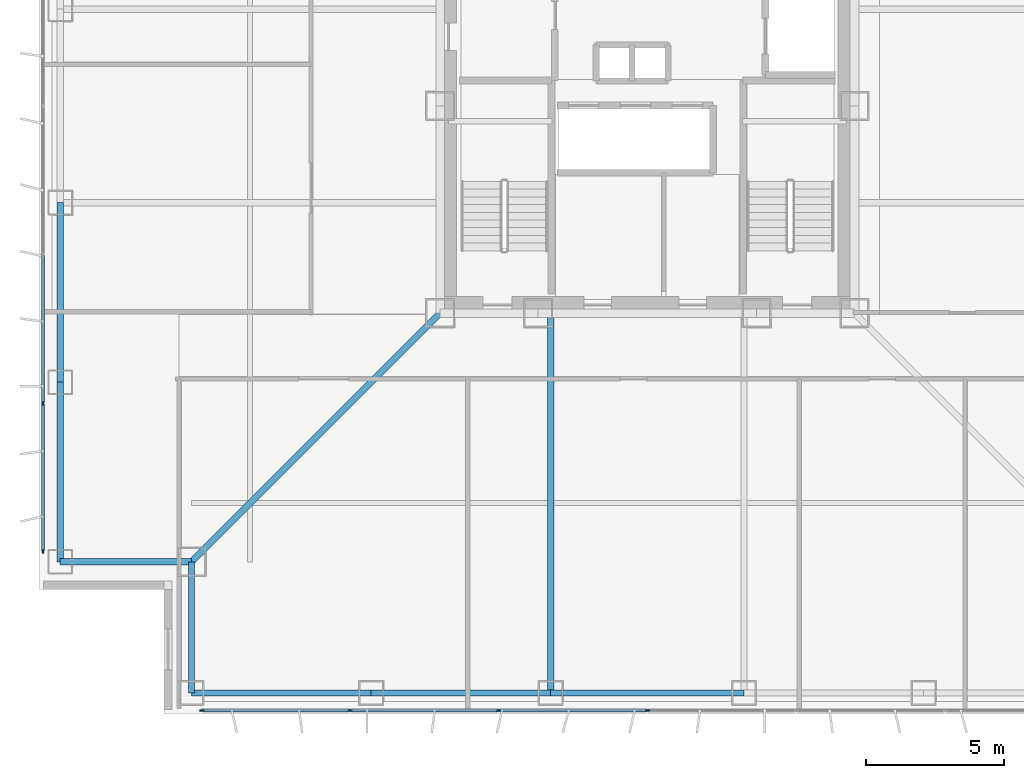
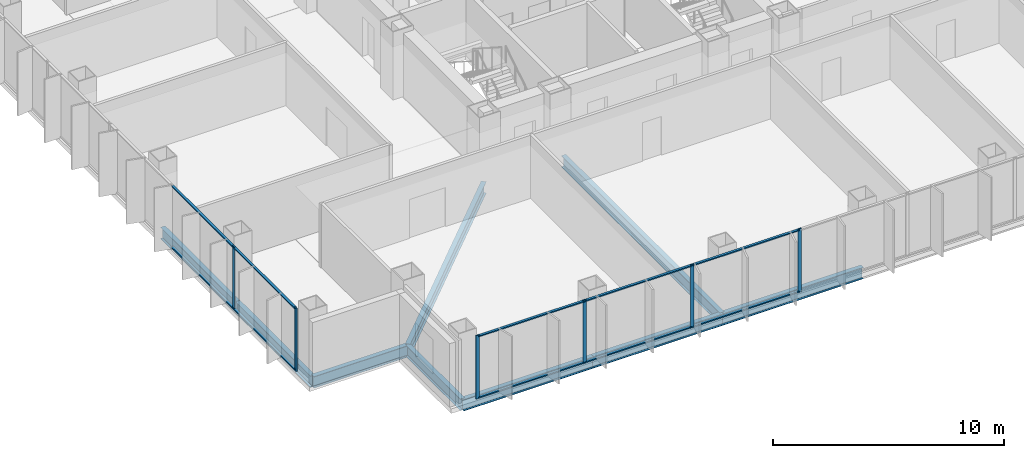
# One storey, part 2 of 17: 16 members, 9 beams, 2 elements without a shape of their own.
"""IFC4 building model written with IfcOpenShell, lengths in metres."""

from ifc_helpers import new_model, si_unit, direction, frame, origin, origin_2d, place, context, subcontext, project, spatial, rectangle, i_section, extrude, material, layer, layer_set, material_profile, profile_set, type_object, element, aggregate, save


model = new_model("IFC4")

# Units and contexts
model_context = context("Model", 3, precision=1e-05, world=origin(), true_north=direction((0.0, 1.0)))
body_context = subcontext(model_context, "Body", "Model", "MODEL_VIEW")
ifc_project = project(units=[si_unit("LENGTHUNIT", "METRE"), si_unit("AREAUNIT", "SQUARE_METRE"), si_unit("VOLUMEUNIT", "CUBIC_METRE"), si_unit("PLANEANGLEUNIT", "RADIAN"), si_unit("MASSUNIT", "GRAM", prefix="KILO")], contexts=[model_context])

# Site, building, storey
site_placement = place(None, origin())
site = spatial("IfcSite", under=ifc_project, at=site_placement, CompositionType="ELEMENT")
building_placement = place(site_placement, origin())
building = spatial("IfcBuilding", under=site, at=building_placement, Name="Trevonay Congress Spire", CompositionType="ELEMENT")
storey_placement = place(building_placement, frame((0.0, 0.0, 126.39990234375)))
storey = spatial("IfcBuildingStorey", under=building, at=storey_placement, Name="L32", CompositionType="ELEMENT", Elevation=126.39990234375)

# Beams
ifc_material_1 = material(Name="Steel ASTM A572 Grade 50", Category="steel")
ifc_material_profile_1 = material_profile(ifc_material_1, i_section(OverallWidth=0.22998046875, OverallDepth=0.616943359375, WebThickness=0.01318359375, FlangeThickness=0.022216796875, FilletRadius=0.01611328125, at=origin_2d()), Name="W610x140")
ifc_profile_set_1 = profile_set([ifc_material_profile_1], Name="Steel ASTM A572 Grade 50")
beam_type_1 = type_object("IfcBeamType", Name="BM-GIRD-W610X140", PredefinedType="BEAM", material=ifc_profile_set_1)
beam_1_placement = place(storey_placement, frame((-7.5, -7.5, -0.54833984375), z_axis=(-0.707106781187, -0.707106781187, 0.0), x_axis=(0.707106781187, -0.707106781187, 0.0)))
element("IfcBeam", 1, at=beam_1_placement, inside=storey, type_object=beam_type_1, Name="L32 structural beam BM-L32-CDSW", PredefinedType="BEAM", context=body_context, shape_type="SweptSolid", body=[
    extrude(i_section(OverallWidth=0.22998046875, OverallDepth=0.616943359375, WebThickness=0.01318359375, FlangeThickness=0.022216796875, FilletRadius=0.01611328125, at=origin_2d()), origin(), (0.0, 0.0, 1.0), 12.72802734375),
])
beam_2_placement = place(storey_placement, frame((-3.5, -7.5, -0.54833984375), z_axis=(0.0, -1.0, 0.0), x_axis=(1.0, 0.0, 0.0)))
element("IfcBeam", 2, at=beam_2_placement, inside=storey, type_object=beam_type_1, Name="L32 structural beam BM-L32-GS-M", PredefinedType="BEAM", context=body_context, shape_type="SweptSolid", body=[
    extrude(i_section(OverallWidth=0.22998046875, OverallDepth=0.616943359375, WebThickness=0.01318359375, FlangeThickness=0.022216796875, FilletRadius=0.01611328125, at=origin_2d()), origin(), (0.0, 0.0, 1.0), 13.75),
])
ifc_material_profile_2 = material_profile(ifc_material_1, i_section(OverallWidth=0.22802734375, OverallDepth=0.60791015625, WebThickness=0.01123046875, FlangeThickness=0.017333984375, FilletRadius=0.01611328125, at=origin_2d()), Name="W610x113")
ifc_profile_set_2 = profile_set([ifc_material_profile_2], Name="Steel ASTM A572 Grade 50")
beam_type_2 = type_object("IfcBeamType", Name="BM-RING-W610X113", PredefinedType="BEAM", material=ifc_profile_set_2)
for number, where, z_axis, x_axis, name in (
    (3, (-16.5, -21.25, -0.5439453125), (1.0, 0.0, 0.0), (0.0, 1.0, 0.0), "L32 structural beam BM-L32-PS1"),
    (4, (-21.25, -16.5, -0.5439453125), (0.0, 1.0, 0.0), (-1.0, 0.0, 0.0), "L32 structural beam BM-L32-PW1"),
    (5, (-10.0, -21.25, -0.5439453125), (1.0, 0.0, 0.0), (0.0, 1.0, 0.0), "L32 structural beam BM-L32-PS2"),
    (6, (-21.25, -10.0, -0.5439453125), (0.0, 1.0, 0.0), (-1.0, 0.0, 0.0), "L32 structural beam BM-L32-PW2"),
):
    element("IfcBeam", number, at=place(storey_placement, frame(where, z_axis=z_axis, x_axis=x_axis)), inside=storey, type_object=beam_type_2, Name=name, PredefinedType="BEAM", context=body_context, shape_type="SweptSolid", body=[
        extrude(i_section(OverallWidth=0.22802734375, OverallDepth=0.60791015625, WebThickness=0.01123046875, FlangeThickness=0.017333984375, FilletRadius=0.01611328125, at=origin_2d()), origin(), (0.0, 0.0, 1.0), 6.5),
    ])
beam_3_placement = place(storey_placement, frame((-3.5, -21.25, -0.5439453125), z_axis=(1.0, 0.0, 0.0), x_axis=(0.0, 1.0, 0.0)))
element("IfcBeam", 7, at=beam_3_placement, inside=storey, type_object=beam_type_2, Name="L32 structural beam BM-L32-PS3", PredefinedType="BEAM", context=body_context, shape_type="SweptSolid", body=[
    extrude(i_section(OverallWidth=0.22802734375, OverallDepth=0.60791015625, WebThickness=0.01123046875, FlangeThickness=0.017333984375, FilletRadius=0.01611328125, at=origin_2d()), origin(), (0.0, 0.0, 1.0), 7.0),
])
for number, where, z_axis, x_axis, name in (
    (8, (-16.5, -21.25, -0.5439453125), (0.0, 1.0, 0.0), (-1.0, 0.0, 0.0), "L32 structural beam BM-L32-N1SW"),
    (9, (-21.25, -16.5, -0.5439453125), (1.0, 0.0, 0.0), (0.0, 1.0, 0.0), "L32 structural beam BM-L32-N2SW"),
):
    element("IfcBeam", number, at=place(storey_placement, frame(where, z_axis=z_axis, x_axis=x_axis)), inside=storey, type_object=beam_type_2, Name=name, PredefinedType="BEAM", context=body_context, shape_type="SweptSolid", body=[
        extrude(i_section(OverallWidth=0.22802734375, OverallDepth=0.60791015625, WebThickness=0.01123046875, FlangeThickness=0.017333984375, FilletRadius=0.01611328125, at=origin_2d()), origin(), (0.0, 0.0, 1.0), 4.75),
    ])

# Curtain wall, members
ifc_material_2 = material(Name="Pale Anodised Aluminium EN AW-6063-T6", Category="aluminium")
ifc_layer = layer(ifc_material_2, 0.175048828125, Name="Pale Anodised Aluminium EN AW-6063-T6")
ifc_layer_set = layer_set([ifc_layer], Name="Pale Anodised Aluminium EN AW-6063-T6")
curtain_wall_type = type_object("IfcCurtainWallType", Name="CW-SYS03-CONGRESS-PALE-METAL", PredefinedType="NOTDEFINED", material=ifc_layer_set)
curtain_wall_1_placement = place(storey_placement, origin())
curtain_wall_1 = element("IfcCurtainWall", 10, at=curtain_wall_1_placement, inside=storey, type_object=curtain_wall_type, Name="L32 S unitised curtain wall", PredefinedType="NOTDEFINED")
ifc_material_profile_3 = material_profile(ifc_material_2, rectangle(XDim=0.06005859375, YDim=0.159912109375, at=origin_2d()), Name="CW-MULLION-160-ALUMINIUM")
ifc_profile_set_3 = profile_set([ifc_material_profile_3], Name="Pale Anodised Aluminium EN AW-6063-T6")
member_type_1 = type_object("IfcMemberType", Name="CW-MULLION-160-ALUMINIUM", PredefinedType="MULLION", material=ifc_profile_set_3)
member_1_placement = place(storey_placement, frame((-16.1201171875, -21.8798828125, 0.0), z_axis=(0.0, 0.0, 1.0), x_axis=(0.0, 1.0, 0.0)))
member_1 = element("IfcMember", 11, at=member_1_placement, type_object=member_type_1, Name="CW03 mullion 1", PredefinedType="MULLION", context=body_context, shape_type="SweptSolid", body=[
    extrude(rectangle(XDim=0.06005859375, YDim=0.159912109375, at=origin_2d()), origin(), (0.0, 0.0, 1.0), 3.360107421875),
])
member_2_placement = place(storey_placement, frame((-10.7666015625, -21.8798828125, 0.0), z_axis=(0.0, 0.0, 1.0), x_axis=(0.0, 1.0, 0.0)))
member_2 = element("IfcMember", 12, at=member_2_placement, type_object=member_type_1, Name="CW03 mullion 2", PredefinedType="MULLION", context=body_context, shape_type="SweptSolid", body=[
    extrude(rectangle(XDim=0.06005859375, YDim=0.159912109375, at=origin_2d()), origin(), (0.0, 0.0, 1.0), 3.360107421875),
])
member_3_placement = place(storey_placement, frame((-5.38330078125, -21.8798828125, 0.0), z_axis=(0.0, 0.0, 1.0), x_axis=(0.0, 1.0, 0.0)))
member_3 = element("IfcMember", 13, at=member_3_placement, type_object=member_type_1, Name="CW03 mullion 3", PredefinedType="MULLION", context=body_context, shape_type="SweptSolid", body=[
    extrude(rectangle(XDim=0.06005859375, YDim=0.159912109375, at=origin_2d()), origin(), (0.0, 0.0, 1.0), 3.360107421875),
])
member_4_placement = place(storey_placement, frame((0.0, -21.8798828125, 0.0), z_axis=(0.0, 0.0, 1.0), x_axis=(0.0, 1.0, 0.0)))
member_4 = element("IfcMember", 14, at=member_4_placement, type_object=member_type_1, Name="CW03 mullion 4", PredefinedType="MULLION", context=body_context, shape_type="SweptSolid", body=[
    extrude(rectangle(XDim=0.06005859375, YDim=0.159912109375, at=origin_2d()), origin(), (0.0, 0.0, 1.0), 3.360107421875),
])

curtain_wall_2_placement = place(storey_placement, origin())
curtain_wall_2 = element("IfcCurtainWall", 15, at=curtain_wall_2_placement, inside=storey, type_object=curtain_wall_type, Name="L32 W unitised curtain wall", PredefinedType="NOTDEFINED")
member_5_placement = place(storey_placement, frame((-21.8798828125, -16.1201171875, 0.0), z_axis=(0.0, 0.0, 1.0), x_axis=(-1.0, 0.0, 0.0)))
member_5 = element("IfcMember", 16, at=member_5_placement, type_object=member_type_1, Name="CW03 mullion 1", PredefinedType="MULLION", context=body_context, shape_type="SweptSolid", body=[
    extrude(rectangle(XDim=0.06005859375, YDim=0.159912109375, at=origin_2d()), origin(), (0.0, 0.0, 1.0), 3.360107421875),
])
member_6_placement = place(storey_placement, frame((-21.8798828125, -10.7666015625, 0.0), z_axis=(0.0, 0.0, 1.0), x_axis=(-1.0, 0.0, 0.0)))
member_6 = element("IfcMember", 17, at=member_6_placement, type_object=member_type_1, Name="CW03 mullion 2", PredefinedType="MULLION", context=body_context, shape_type="SweptSolid", body=[
    extrude(rectangle(XDim=0.06005859375, YDim=0.159912109375, at=origin_2d()), origin(), (0.0, 0.0, 1.0), 3.360107421875),
])

# Member
ifc_material_profile_4 = material_profile(ifc_material_2, rectangle(XDim=0.1201171875, YDim=0.06005859375, at=origin_2d()), Name="CW-TRANSOM-120-ALUMINIUM")
ifc_profile_set_4 = profile_set([ifc_material_profile_4], Name="Pale Anodised Aluminium EN AW-6063-T6")
member_type_2 = type_object("IfcMemberType", Name="CW-TRANSOM-120-ALUMINIUM", PredefinedType="USERDEFINED", material=ifc_profile_set_4)
member_7_placement = place(storey_placement, frame((-16.090087890625, -21.8798828125, 0.06005859375), z_axis=(1.0, 0.0, 0.0), x_axis=(0.0, 1.0, 0.0)))
member_7 = element("IfcMember", 18, at=member_7_placement, type_object=member_type_2, Name="CW03 transom 1.1", ObjectType="TRANSOM", PredefinedType="USERDEFINED", context=body_context, shape_type="SweptSolid", body=[
    extrude(rectangle(XDim=0.1201171875, YDim=0.06005859375, at=origin_2d()), origin(), (0.0, 0.0, 1.0), 5.29345703125),
])

member_8_placement = place(storey_placement, frame((-16.090087890625, -21.8798828125, 3.300048828125), z_axis=(1.0, 0.0, 0.0), x_axis=(0.0, 1.0, 0.0)))
member_8 = element("IfcMember", 19, at=member_8_placement, type_object=member_type_2, Name="CW03 transom 1.2", ObjectType="TRANSOM", PredefinedType="USERDEFINED", context=body_context, shape_type="SweptSolid", body=[
    extrude(rectangle(XDim=0.1201171875, YDim=0.06005859375, at=origin_2d()), origin(), (0.0, 0.0, 1.0), 5.29345703125),
])

member_9_placement = place(storey_placement, frame((-10.736572265625, -21.8798828125, 0.06005859375), z_axis=(1.0, 0.0, 0.0), x_axis=(0.0, 1.0, 0.0)))
member_9 = element("IfcMember", 20, at=member_9_placement, type_object=member_type_2, Name="CW03 transom 2.1", ObjectType="TRANSOM", PredefinedType="USERDEFINED", context=body_context, shape_type="SweptSolid", body=[
    extrude(rectangle(XDim=0.1201171875, YDim=0.06005859375, at=origin_2d()), origin(), (0.0, 0.0, 1.0), 5.3232421875),
])

member_10_placement = place(storey_placement, frame((-10.736572265625, -21.8798828125, 3.300048828125), z_axis=(1.0, 0.0, 0.0), x_axis=(0.0, 1.0, 0.0)))
member_10 = element("IfcMember", 21, at=member_10_placement, type_object=member_type_2, Name="CW03 transom 2.2", ObjectType="TRANSOM", PredefinedType="USERDEFINED", context=body_context, shape_type="SweptSolid", body=[
    extrude(rectangle(XDim=0.1201171875, YDim=0.06005859375, at=origin_2d()), origin(), (0.0, 0.0, 1.0), 5.3232421875),
])

member_11_placement = place(storey_placement, frame((-5.353271484375, -21.8798828125, 0.06005859375), z_axis=(1.0, 0.0, 0.0), x_axis=(0.0, 1.0, 0.0)))
member_11 = element("IfcMember", 22, at=member_11_placement, type_object=member_type_2, Name="CW03 transom 3.1", ObjectType="TRANSOM", PredefinedType="USERDEFINED", context=body_context, shape_type="SweptSolid", body=[
    extrude(rectangle(XDim=0.1201171875, YDim=0.06005859375, at=origin_2d()), origin(), (0.0, 0.0, 1.0), 5.3232421875),
])

member_12_placement = place(storey_placement, frame((-5.353271484375, -21.8798828125, 3.300048828125), z_axis=(1.0, 0.0, 0.0), x_axis=(0.0, 1.0, 0.0)))
member_12 = element("IfcMember", 23, at=member_12_placement, type_object=member_type_2, Name="CW03 transom 3.2", ObjectType="TRANSOM", PredefinedType="USERDEFINED", context=body_context, shape_type="SweptSolid", body=[
    extrude(rectangle(XDim=0.1201171875, YDim=0.06005859375, at=origin_2d()), origin(), (0.0, 0.0, 1.0), 5.3232421875),
])

aggregate(curtain_wall_1, [member_1, member_2, member_3, member_4, member_7, member_8, member_9, member_10, member_11, member_12])

member_13_placement = place(storey_placement, frame((-21.8798828125, -16.090087890625, 0.06005859375), z_axis=(0.0, 1.0, 0.0), x_axis=(-1.0, 0.0, 0.0)))
member_13 = element("IfcMember", 24, at=member_13_placement, type_object=member_type_2, Name="CW03 transom 1.1", ObjectType="TRANSOM", PredefinedType="USERDEFINED", context=body_context, shape_type="SweptSolid", body=[
    extrude(rectangle(XDim=0.1201171875, YDim=0.06005859375, at=origin_2d()), origin(), (0.0, 0.0, 1.0), 5.29345703125),
])

member_14_placement = place(storey_placement, frame((-21.8798828125, -16.090087890625, 3.300048828125), z_axis=(0.0, 1.0, 0.0), x_axis=(-1.0, 0.0, 0.0)))
member_14 = element("IfcMember", 25, at=member_14_placement, type_object=member_type_2, Name="CW03 transom 1.2", ObjectType="TRANSOM", PredefinedType="USERDEFINED", context=body_context, shape_type="SweptSolid", body=[
    extrude(rectangle(XDim=0.1201171875, YDim=0.06005859375, at=origin_2d()), origin(), (0.0, 0.0, 1.0), 5.29345703125),
])

member_15_placement = place(storey_placement, frame((-21.8798828125, -10.736572265625, 0.06005859375), z_axis=(0.0, 1.0, 0.0), x_axis=(-1.0, 0.0, 0.0)))
member_15 = element("IfcMember", 26, at=member_15_placement, type_object=member_type_2, Name="CW03 transom 2.1", ObjectType="TRANSOM", PredefinedType="USERDEFINED", context=body_context, shape_type="SweptSolid", body=[
    extrude(rectangle(XDim=0.1201171875, YDim=0.06005859375, at=origin_2d()), origin(), (0.0, 0.0, 1.0), 5.3232421875),
])

member_16_placement = place(storey_placement, frame((-21.8798828125, -10.736572265625, 3.300048828125), z_axis=(0.0, 1.0, 0.0), x_axis=(-1.0, 0.0, 0.0)))
member_16 = element("IfcMember", 27, at=member_16_placement, type_object=member_type_2, Name="CW03 transom 2.2", ObjectType="TRANSOM", PredefinedType="USERDEFINED", context=body_context, shape_type="SweptSolid", body=[
    extrude(rectangle(XDim=0.1201171875, YDim=0.06005859375, at=origin_2d()), origin(), (0.0, 0.0, 1.0), 5.3232421875),
])

aggregate(curtain_wall_2, [member_5, member_6, member_13, member_14, member_15, member_16])

save(model, "model.ifc")
